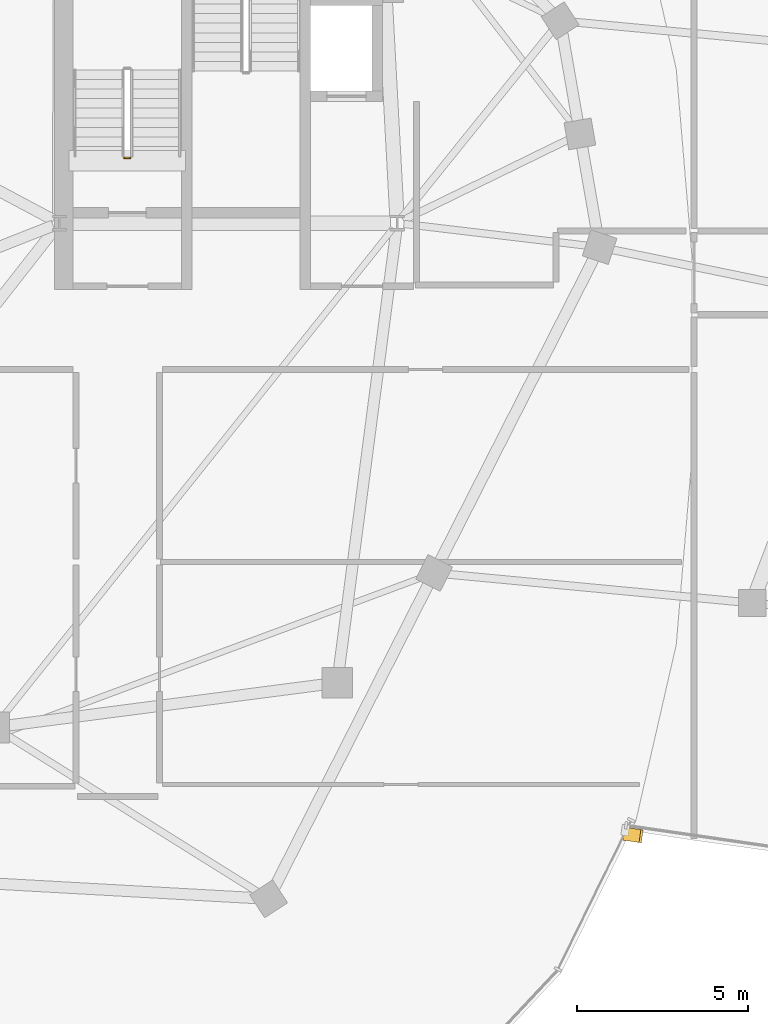
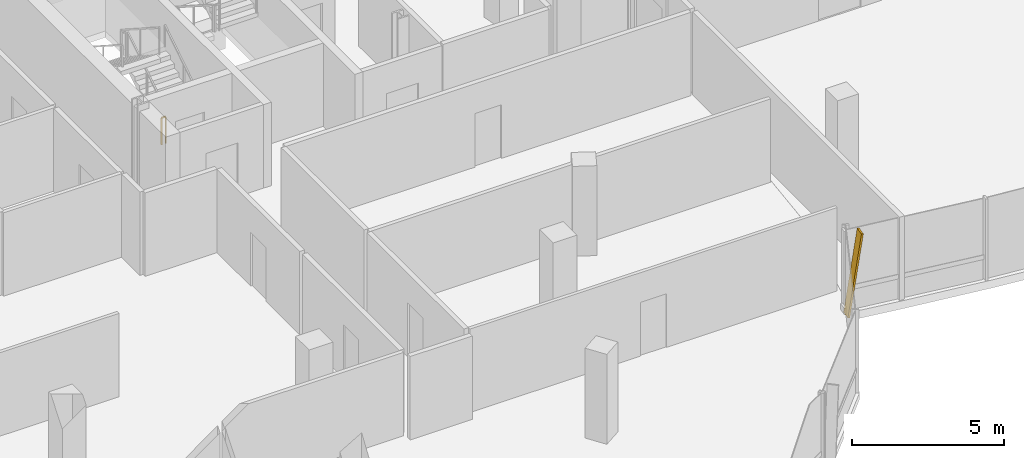
# One storey, part 21 of 25: 1 railing, 1 shading device.
"""IFC4 building model written with IfcOpenShell, lengths in metres."""

from ifc_helpers import new_model, si_unit, direction, frame, origin, origin_2d, place, context, subcontext, project, spatial, rectangle, extrude, material, material_profile, profile_set, type_object, element, save


model = new_model("IFC4")

# Units and contexts
model_context = context("Model", 3, precision=1e-05, world=origin(), true_north=direction((0.0, 1.0)))
body_context = subcontext(model_context, "Body", "Model", "MODEL_VIEW")
ifc_project = project(units=[si_unit("LENGTHUNIT", "METRE"), si_unit("AREAUNIT", "SQUARE_METRE"), si_unit("VOLUMEUNIT", "CUBIC_METRE"), si_unit("PLANEANGLEUNIT", "RADIAN"), si_unit("MASSUNIT", "GRAM", prefix="KILO"), si_unit("THERMODYNAMICTEMPERATUREUNIT", "KELVIN"), si_unit("POWERUNIT", "WATT")], contexts=[model_context])

# Site, building, storey
site_placement = place(None, origin())
site = spatial("IfcSite", under=ifc_project, at=site_placement, CompositionType="ELEMENT")
building_placement = place(site_placement, origin())
building = spatial("IfcBuilding", under=site, at=building_placement, Name="Cundina Bronze Exchange", CompositionType="ELEMENT")
storey_placement = place(building_placement, frame((0.0, 0.0, 246.800048828125)))
storey = spatial("IfcBuildingStorey", under=building, at=storey_placement, Name="L65", CompositionType="ELEMENT", Elevation=246.800048828125)

# Railing
ifc_material_1 = material(Name="Steel ASTM A36 Painted", Category="steel")
railing_type = type_object("IfcRailingType", Name="RLG-STG-1100", PredefinedType="GUARDRAIL", material=ifc_material_1)
railing_placement = place(storey_placement, frame((-29.239990234375, 5.800048828125, 0.0)))
element("IfcRailing", 1, at=railing_placement, inside=storey, type_object=railing_type, Name="L65 ST-W1 stair guard 4", PredefinedType="GUARDRAIL", context=body_context, shape_type="SweptSolid", body=[
    extrude(rectangle(XDim=0.048095703125, YDim=0.048095703125, at=origin_2d()), frame((0.0, 0.0, 1.076171875), z_axis=(-1.0, 0.0, 0.0), x_axis=(0.0, -1.0, 0.0)), (0.0, 0.0, 1.0), 0.159912109375),
    extrude(rectangle(XDim=0.0419921875, YDim=0.0419921875, at=origin_2d()), origin(), (0.0, 0.0, 1.0), 1.052001953125),
    extrude(rectangle(XDim=0.0419921875, YDim=0.0419921875, at=origin_2d()), frame((-0.159912109375, 0.0, 0.0)), (0.0, 0.0, 1.0), 1.052001953125),
])

# Shading device
ifc_material_2 = material(Name="Anodised Bronze Aluminium 6063-T6", Category="aluminium")
ifc_material_profile = material_profile(ifc_material_2, rectangle(XDim=0.070068359375, YDim=0.3798828125, at=origin_2d()), Name="FIN70X380", Category="aluminium")
ifc_profile_set = profile_set([ifc_material_profile], Name="Anodised Bronze Aluminium 6063-T6")
shading_device_type = type_object("IfcShadingDeviceType", Name="SHD-FIN-BRZ380", PredefinedType="USERDEFINED", material=ifc_profile_set)
shading_device_placement = place(storey_placement, frame((-14.8154296875, -13.90625, 0.02001953125), z_axis=(0.145051508968, -0.021168873868, 0.989197623595), x_axis=(-0.978828704224, 0.142850643371, 0.1465880673)))
element("IfcShadingDevice", 2, at=shading_device_placement, inside=storey, type_object=shading_device_type, Name="L65 Diagonal Bronze Solar Fin 1", ObjectType="FIN", PredefinedType="USERDEFINED", context=body_context, shape_type="SweptSolid", body=[
    extrude(rectangle(XDim=0.070068359375, YDim=0.3798828125, at=origin_2d()), origin(), (0.0, 0.0, 1.0), 3.275390625),
])

save(model, "model.ifc")
